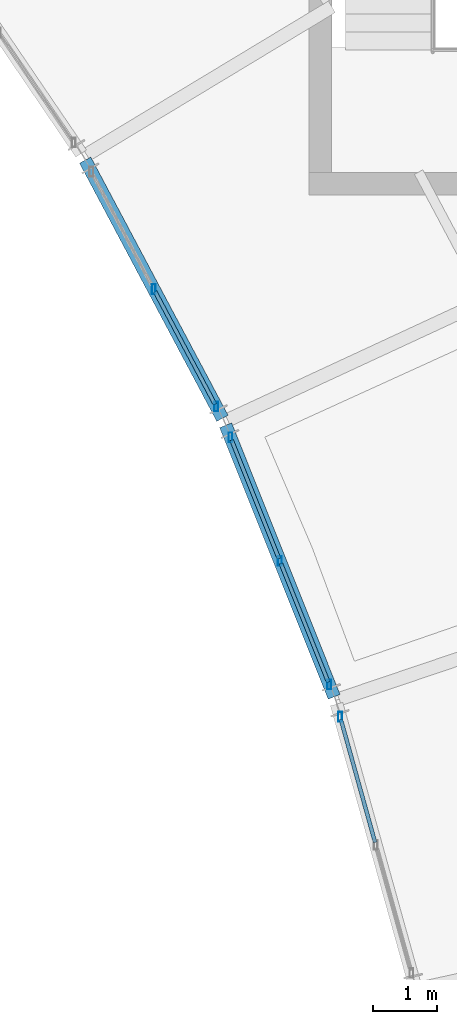
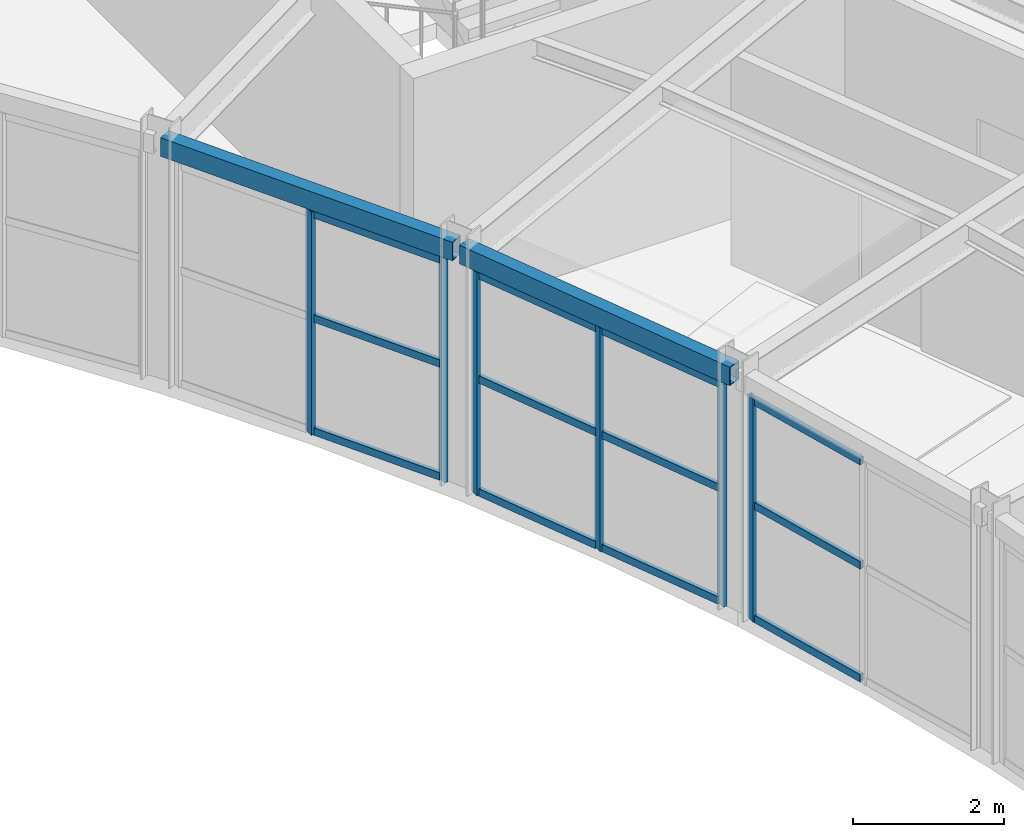
# One storey, part 34 of 63: 18 members, 2 beams, 3 elements without a shape of their own.
"""IFC4 building model written with IfcOpenShell, lengths in metres."""

from ifc_helpers import new_model, si_unit, direction, frame, origin, origin_2d, place, context, subcontext, project, spatial, hollow_rectangle, extrude, material, material_profile, profile_set, type_object, element, aggregate, save


model = new_model("IFC4")

# Units and contexts
model_context = context("Model", 3, precision=1e-05, world=origin(), true_north=direction((0.0, 1.0)))
body_context = subcontext(model_context, "Body", "Model", "MODEL_VIEW")
ifc_project = project(units=[si_unit("LENGTHUNIT", "METRE"), si_unit("AREAUNIT", "SQUARE_METRE"), si_unit("VOLUMEUNIT", "CUBIC_METRE"), si_unit("PLANEANGLEUNIT", "RADIAN"), si_unit("MASSUNIT", "GRAM", prefix="KILO")], contexts=[model_context])

# Site, building, storey
site_placement = place(None, origin())
site = spatial("IfcSite", under=ifc_project, at=site_placement, CompositionType="ELEMENT")
building_placement = place(site_placement, origin())
building = spatial("IfcBuilding", under=site, at=building_placement, Name="Tarnveldt Headland Concert Hall", CompositionType="ELEMENT")
storey_placement = place(building_placement, frame((0.0, 0.0, 14.39990234375)))
storey = spatial("IfcBuildingStorey", under=building, at=storey_placement, Name="L03", CompositionType="ELEMENT", Elevation=14.39990234375)

# Curtain wall, member
ifc_material_1 = material(Name="Marine-anodised aluminium EN AW-6063-T6", Category="aluminium")
curtain_wall_type = type_object("IfcCurtainWallType", Name="CW-C4", PredefinedType="NOTDEFINED", material=ifc_material_1)
curtain_wall_1_placement = place(storey_placement, origin())
curtain_wall_1 = element("IfcCurtainWall", 1, at=curtain_wall_1_placement, inside=storey, type_object=curtain_wall_type, Name="Curtain wall CW-L03-140", PredefinedType="NOTDEFINED")
ifc_material_profile_1 = material_profile(ifc_material_1, hollow_rectangle(XDim=0.06005859375, YDim=0.14990234375, WallThickness=0.00390625, at=origin_2d()), Name="ALU MULLION 60x150x4", Category="aluminium")
ifc_profile_set_1 = profile_set([ifc_material_profile_1], Name="Marine-anodised aluminium EN AW-6063-T6")
member_type_1 = type_object("IfcMemberType", Name="ML-150", PredefinedType="MULLION", material=ifc_profile_set_1)
member_1_placement = place(storey_placement, frame((158.30908203125, 73.50732421875, 0.0), z_axis=(0.0, 0.0, 1.0), x_axis=(1.0, 0.0, 0.0)))
member_1 = element("IfcMember", 2, at=member_1_placement, type_object=member_type_1, Name="Mullion CW-L03-140-3", PredefinedType="MULLION", context=body_context, shape_type="SweptSolid", body=[
    extrude(hollow_rectangle(XDim=0.06005859375, YDim=0.14990234375, WallThickness=0.00390625, at=origin_2d()), origin(), (0.0, 0.0, 1.0), 3.60009765625),
])

# Curtain wall, members
curtain_wall_2_placement = place(storey_placement, origin())
curtain_wall_2 = element("IfcCurtainWall", 3, at=curtain_wall_2_placement, inside=storey, type_object=curtain_wall_type, Name="Curtain wall CW-L03-141", PredefinedType="NOTDEFINED")
member_2_placement = place(storey_placement, frame((158.139892578125, 74.0087890625, 0.0), z_axis=(0.0, 0.0, 1.0), x_axis=(1.0, 0.0, 0.0)))
member_2 = element("IfcMember", 4, at=member_2_placement, type_object=member_type_1, Name="Mullion CW-L03-141-1", PredefinedType="MULLION", context=body_context, shape_type="SweptSolid", body=[
    extrude(hollow_rectangle(XDim=0.06005859375, YDim=0.14990234375, WallThickness=0.00390625, at=origin_2d()), origin(), (0.0, 0.0, 1.0), 3.60009765625),
])
member_3_placement = place(storey_placement, frame((157.372314453125, 75.9296875, 0.0), z_axis=(0.0, 0.0, 1.0), x_axis=(1.0, 0.0, 0.0)))
member_3 = element("IfcMember", 5, at=member_3_placement, type_object=member_type_1, Name="Mullion CW-L03-141-2", PredefinedType="MULLION", context=body_context, shape_type="SweptSolid", body=[
    extrude(hollow_rectangle(XDim=0.06005859375, YDim=0.14990234375, WallThickness=0.00390625, at=origin_2d()), origin(), (0.0, 0.0, 1.0), 3.60009765625),
])
member_4_placement = place(storey_placement, frame((156.604736328125, 77.850830078125, 0.0), z_axis=(0.0, 0.0, 1.0), x_axis=(1.0, 0.0, 0.0)))
member_4 = element("IfcMember", 6, at=member_4_placement, type_object=member_type_1, Name="Mullion CW-L03-141-3", PredefinedType="MULLION", context=body_context, shape_type="SweptSolid", body=[
    extrude(hollow_rectangle(XDim=0.06005859375, YDim=0.14990234375, WallThickness=0.00390625, at=origin_2d()), origin(), (0.0, 0.0, 1.0), 3.60009765625),
])

curtain_wall_3_placement = place(storey_placement, origin())
curtain_wall_3 = element("IfcCurtainWall", 7, at=curtain_wall_3_placement, inside=storey, type_object=curtain_wall_type, Name="Curtain wall CW-L03-142", PredefinedType="NOTDEFINED")
member_5_placement = place(storey_placement, frame((156.382080078125, 78.3310546875, 0.0), z_axis=(0.0, 0.0, 1.0), x_axis=(1.0, 0.0, 0.0)))
member_5 = element("IfcMember", 8, at=member_5_placement, type_object=member_type_1, Name="Mullion CW-L03-142-1", PredefinedType="MULLION", context=body_context, shape_type="SweptSolid", body=[
    extrude(hollow_rectangle(XDim=0.06005859375, YDim=0.14990234375, WallThickness=0.00390625, at=origin_2d()), origin(), (0.0, 0.0, 1.0), 3.60009765625),
])
member_6_placement = place(storey_placement, frame((155.410888671875, 80.15771484375, 0.0), z_axis=(0.0, 0.0, 1.0), x_axis=(1.0, 0.0, 0.0)))
member_6 = element("IfcMember", 9, at=member_6_placement, type_object=member_type_1, Name="Mullion CW-L03-142-2", PredefinedType="MULLION", context=body_context, shape_type="SweptSolid", body=[
    extrude(hollow_rectangle(XDim=0.06005859375, YDim=0.14990234375, WallThickness=0.00390625, at=origin_2d()), origin(), (0.0, 0.0, 1.0), 3.60009765625),
])

# Beams
ifc_material_2 = material(Name="Steel S355", Category="steel")
ifc_material_profile_2 = material_profile(ifc_material_2, hollow_rectangle(XDim=0.199951171875, YDim=0.300048828125, WallThickness=0.012451171875, at=origin_2d()), Name="RHS 300x200x12.5", Category="steel")
ifc_profile_set_2 = profile_set([ifc_material_profile_2], Name="Steel S355")
beam_type = type_object("IfcBeamType", Name="SB-RHS300", PredefinedType="SPANDREL", material=ifc_profile_set_2)
for number, where, z_axis, x_axis, name in (
    (10, (158.2158203125, 73.818359375, 3.81005859375), (-0.370983353144, 0.928639516546, 0.0), (-0.928639516546, -0.370983353144, 0.0), "Framing beam L03-1290"),
    (11, (156.478271484375, 78.14990234375, 3.81005859375), (-0.469450914916, 0.882958571216, 0.0), (-0.882958571216, -0.469450914916, 0.0), "Framing beam L03-1297"),
):
    element("IfcBeam", number, at=place(storey_placement, frame(where, z_axis=z_axis, x_axis=x_axis)), inside=storey, type_object=beam_type, Name=name, PredefinedType="SPANDREL", context=body_context, shape_type="SweptSolid", body=[
        extrude(hollow_rectangle(XDim=0.199951171875, YDim=0.300048828125, WallThickness=0.012451171875, at=origin_2d()), origin(), (0.0, 0.0, 1.0), 4.54736328125),
    ])

# Member
ifc_material_profile_3 = material_profile(ifc_material_1, hollow_rectangle(XDim=0.06005859375, YDim=0.1201171875, WallThickness=0.00390625, at=origin_2d()), Name="ALU TRANSOM 60x120x4", Category="aluminium")
ifc_profile_set_3 = profile_set([ifc_material_profile_3], Name="Marine-anodised aluminium EN AW-6063-T6")
member_type_2 = type_object("IfcMemberType", Name="TR-110", PredefinedType="MEMBER", material=ifc_profile_set_3)
member_7_placement = place(storey_placement, frame((158.8525390625, 71.554931640625, 0.050048828125), z_axis=(-0.268068957381, 0.963399727054, 0.0), x_axis=(-0.963399727054, -0.268068957381, 0.0)))
member_7 = element("IfcMember", 12, at=member_7_placement, type_object=member_type_2, Name="Transom CW-L03-140-2-1", PredefinedType="MEMBER", context=body_context, shape_type="SweptSolid", body=[
    extrude(hollow_rectangle(XDim=0.06005859375, YDim=0.1201171875, WallThickness=0.00390625, at=origin_2d()), origin(), (0.0, 0.0, 1.0), 1.984619140625),
])

member_8_placement = place(storey_placement, frame((158.8525390625, 71.554931640625, 1.8720703125), z_axis=(-0.268068957381, 0.963399727054, 0.0), x_axis=(-0.963399727054, -0.268068957381, 0.0)))
member_8 = element("IfcMember", 13, at=member_8_placement, type_object=member_type_2, Name="Transom CW-L03-140-2-2", PredefinedType="MEMBER", context=body_context, shape_type="SweptSolid", body=[
    extrude(hollow_rectangle(XDim=0.06005859375, YDim=0.1201171875, WallThickness=0.00390625, at=origin_2d()), origin(), (0.0, 0.0, 1.0), 1.984619140625),
])

member_9_placement = place(storey_placement, frame((158.8525390625, 71.554931640625, 3.550048828125), z_axis=(-0.268068957381, 0.963399727054, 0.0), x_axis=(-0.963399727054, -0.268068957381, 0.0)))
member_9 = element("IfcMember", 14, at=member_9_placement, type_object=member_type_2, Name="Transom CW-L03-140-2-3", PredefinedType="MEMBER", context=body_context, shape_type="SweptSolid", body=[
    extrude(hollow_rectangle(XDim=0.06005859375, YDim=0.1201171875, WallThickness=0.00390625, at=origin_2d()), origin(), (0.0, 0.0, 1.0), 1.984619140625),
])

aggregate(curtain_wall_1, [member_1, member_7, member_8, member_9])

member_10_placement = place(storey_placement, frame((158.124267578125, 74.0478515625, 0.050048828125), z_axis=(-0.37111495253, 0.92858693293, 0.0), x_axis=(-0.92858693293, -0.37111495253, 0.0)))
member_10 = element("IfcMember", 15, at=member_10_placement, type_object=member_type_2, Name="Transom CW-L03-141-1-1", PredefinedType="MEMBER", context=body_context, shape_type="SweptSolid", body=[
    extrude(hollow_rectangle(XDim=0.06005859375, YDim=0.1201171875, WallThickness=0.00390625, at=origin_2d()), origin(), (0.0, 0.0, 1.0), 1.98486328125),
])

member_11_placement = place(storey_placement, frame((158.124267578125, 74.0478515625, 1.8720703125), z_axis=(-0.37111495253, 0.92858693293, 0.0), x_axis=(-0.92858693293, -0.37111495253, 0.0)))
member_11 = element("IfcMember", 16, at=member_11_placement, type_object=member_type_2, Name="Transom CW-L03-141-1-2", PredefinedType="MEMBER", context=body_context, shape_type="SweptSolid", body=[
    extrude(hollow_rectangle(XDim=0.06005859375, YDim=0.1201171875, WallThickness=0.00390625, at=origin_2d()), origin(), (0.0, 0.0, 1.0), 1.98486328125),
])

member_12_placement = place(storey_placement, frame((158.124267578125, 74.0478515625, 3.550048828125), z_axis=(-0.37111495253, 0.92858693293, 0.0), x_axis=(-0.92858693293, -0.37111495253, 0.0)))
member_12 = element("IfcMember", 17, at=member_12_placement, type_object=member_type_2, Name="Transom CW-L03-141-1-3", PredefinedType="MEMBER", context=body_context, shape_type="SweptSolid", body=[
    extrude(hollow_rectangle(XDim=0.06005859375, YDim=0.1201171875, WallThickness=0.00390625, at=origin_2d()), origin(), (0.0, 0.0, 1.0), 1.98486328125),
])

member_13_placement = place(storey_placement, frame((157.356689453125, 75.968994140625, 0.050048828125), z_axis=(-0.371008878758, 0.92862931888, 0.0), x_axis=(-0.92862931888, -0.371008878758, 0.0)))
member_13 = element("IfcMember", 18, at=member_13_placement, type_object=member_type_2, Name="Transom CW-L03-141-2-1", PredefinedType="MEMBER", context=body_context, shape_type="SweptSolid", body=[
    extrude(hollow_rectangle(XDim=0.06005859375, YDim=0.1201171875, WallThickness=0.00390625, at=origin_2d()), origin(), (0.0, 0.0, 1.0), 1.984619140625),
])

member_14_placement = place(storey_placement, frame((157.356689453125, 75.968994140625, 1.8720703125), z_axis=(-0.371008878758, 0.92862931888, 0.0), x_axis=(-0.92862931888, -0.371008878758, 0.0)))
member_14 = element("IfcMember", 19, at=member_14_placement, type_object=member_type_2, Name="Transom CW-L03-141-2-2", PredefinedType="MEMBER", context=body_context, shape_type="SweptSolid", body=[
    extrude(hollow_rectangle(XDim=0.06005859375, YDim=0.1201171875, WallThickness=0.00390625, at=origin_2d()), origin(), (0.0, 0.0, 1.0), 1.984619140625),
])

member_15_placement = place(storey_placement, frame((157.356689453125, 75.968994140625, 3.550048828125), z_axis=(-0.371008878758, 0.92862931888, 0.0), x_axis=(-0.92862931888, -0.371008878758, 0.0)))
member_15 = element("IfcMember", 20, at=member_15_placement, type_object=member_type_2, Name="Transom CW-L03-141-2-3", PredefinedType="MEMBER", context=body_context, shape_type="SweptSolid", body=[
    extrude(hollow_rectangle(XDim=0.06005859375, YDim=0.1201171875, WallThickness=0.00390625, at=origin_2d()), origin(), (0.0, 0.0, 1.0), 1.984619140625),
])

aggregate(curtain_wall_2, [member_2, member_3, member_4, member_10, member_11, member_12, member_13, member_14, member_15])

member_16_placement = place(storey_placement, frame((156.3623046875, 78.3681640625, 0.050048828125), z_axis=(-0.469508932223, 0.882927722163, 0.0), x_axis=(-0.882927722163, -0.469508932223, 0.0)))
member_16 = element("IfcMember", 21, at=member_16_placement, type_object=member_type_2, Name="Transom CW-L03-142-1-1", PredefinedType="MEMBER", context=body_context, shape_type="SweptSolid", body=[
    extrude(hollow_rectangle(XDim=0.06005859375, YDim=0.1201171875, WallThickness=0.00390625, at=origin_2d()), origin(), (0.0, 0.0, 1.0), 1.98486328125),
])

member_17_placement = place(storey_placement, frame((156.3623046875, 78.3681640625, 1.8720703125), z_axis=(-0.469508932223, 0.882927722163, 0.0), x_axis=(-0.882927722163, -0.469508932223, 0.0)))
member_17 = element("IfcMember", 22, at=member_17_placement, type_object=member_type_2, Name="Transom CW-L03-142-1-2", PredefinedType="MEMBER", context=body_context, shape_type="SweptSolid", body=[
    extrude(hollow_rectangle(XDim=0.06005859375, YDim=0.1201171875, WallThickness=0.00390625, at=origin_2d()), origin(), (0.0, 0.0, 1.0), 1.98486328125),
])

member_18_placement = place(storey_placement, frame((156.3623046875, 78.3681640625, 3.550048828125), z_axis=(-0.469508932223, 0.882927722163, 0.0), x_axis=(-0.882927722163, -0.469508932223, 0.0)))
member_18 = element("IfcMember", 23, at=member_18_placement, type_object=member_type_2, Name="Transom CW-L03-142-1-3", PredefinedType="MEMBER", context=body_context, shape_type="SweptSolid", body=[
    extrude(hollow_rectangle(XDim=0.06005859375, YDim=0.1201171875, WallThickness=0.00390625, at=origin_2d()), origin(), (0.0, 0.0, 1.0), 1.98486328125),
])

aggregate(curtain_wall_3, [member_5, member_6, member_16, member_17, member_18])

save(model, "model.ifc")
